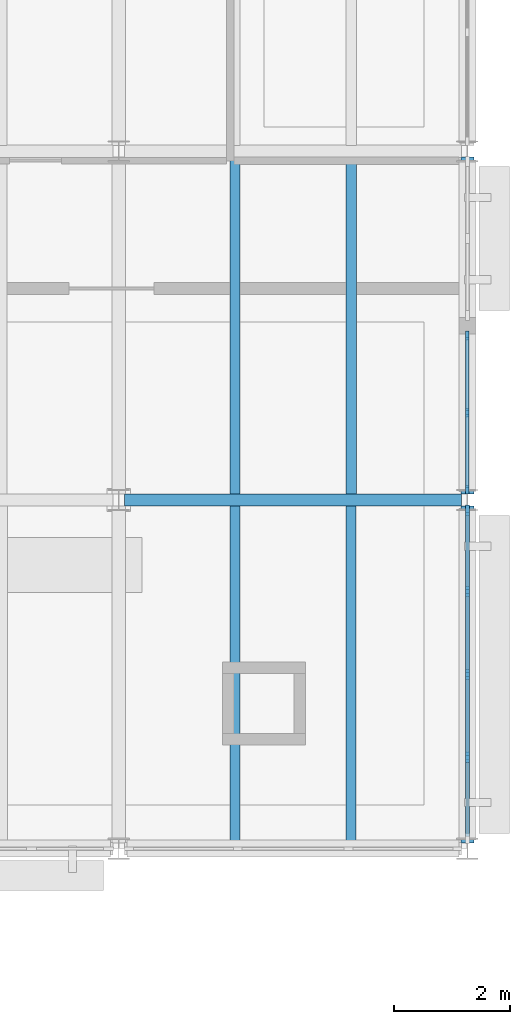
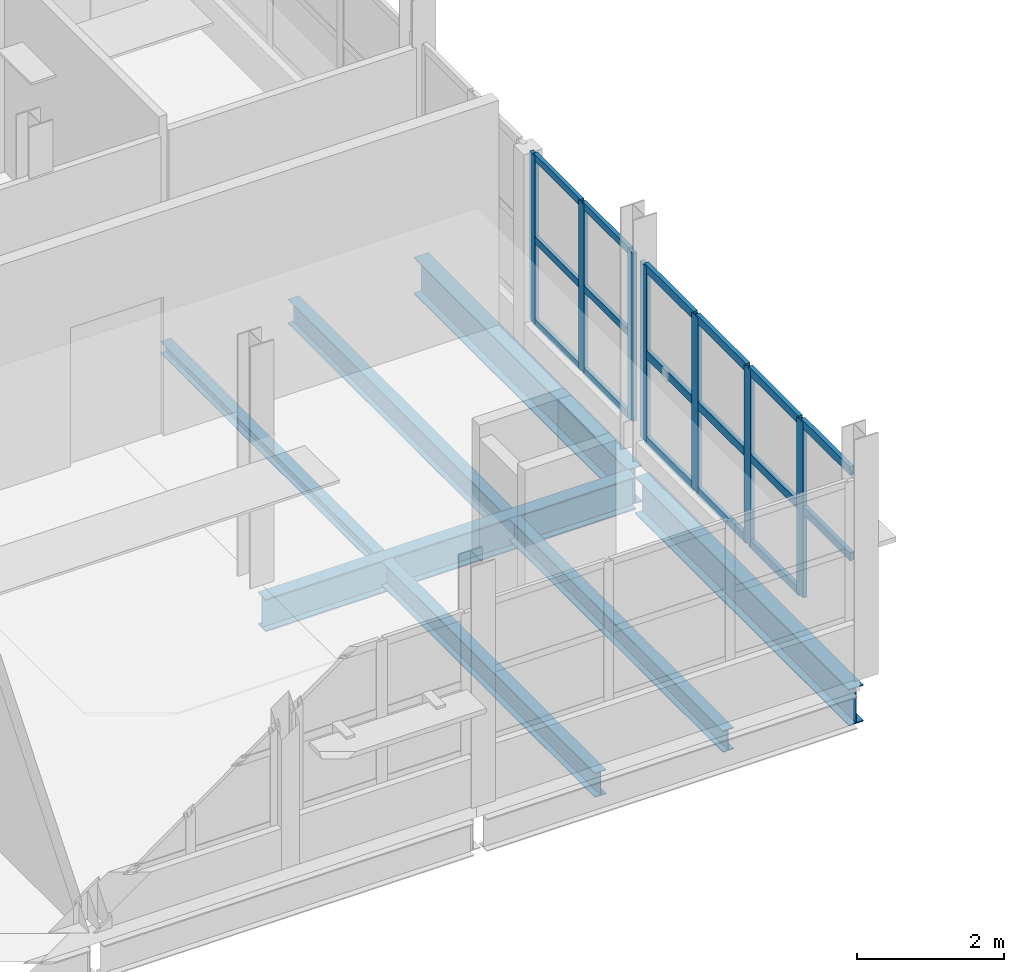
# One storey, part 41 of 92: 24 members, 7 beams, 2 elements without a shape of their own.
"""IFC4 building model written with IfcOpenShell, lengths in metres."""

from ifc_helpers import new_model, si_unit, direction, frame, origin, origin_2d, place, context, subcontext, project, spatial, rectangle, i_section, extrude, material, material_profile, profile_set, type_object, element, aggregate, save


model = new_model("IFC4")

# Units and contexts
model_context = context("Model", 3, precision=1e-05, world=origin(), true_north=direction((0.0, 1.0)))
body_context = subcontext(model_context, "Body", "Model", "MODEL_VIEW")
ifc_project = project(units=[si_unit("LENGTHUNIT", "METRE"), si_unit("AREAUNIT", "SQUARE_METRE"), si_unit("VOLUMEUNIT", "CUBIC_METRE"), si_unit("PLANEANGLEUNIT", "RADIAN"), si_unit("MASSUNIT", "GRAM", prefix="KILO")], contexts=[model_context])

# Site, building, storey
site_placement = place(None, origin())
site = spatial("IfcSite", under=ifc_project, at=site_placement, CompositionType="ELEMENT")
building_placement = place(site_placement, origin())
building = spatial("IfcBuilding", under=site, at=building_placement, Name="Siltcreek Boulevard Central Fire Station", CompositionType="ELEMENT")
storey_placement = place(building_placement, frame((0.0, 0.0, 6.0)))
storey = spatial("IfcBuildingStorey", under=building, at=storey_placement, Name="L02", CompositionType="ELEMENT", Elevation=6.0)

# Beams
ifc_material_1 = material(Name="Structural steel ASTM A992 Gr50", Category="steel")
ifc_material_profile_1 = material_profile(ifc_material_1, i_section(OverallWidth=0.2109375, OverallDepth=0.5390625, WebThickness=0.01171875, FlangeThickness=0.018798828125, at=origin_2d()), Name="W530X109")
ifc_profile_set_1 = profile_set([ifc_material_profile_1], Name="Structural steel ASTM A992 Gr50")
beam_type_1 = type_object("IfcBeamType", Name="BM_W530X109", PredefinedType="BEAM", material=ifc_profile_set_1)
beam_1_placement = place(storey_placement, frame((160.300048828125, 94.199951171875, -0.589599609375), z_axis=(1.0, 0.0, 0.0), x_axis=(0.0, 1.0, 0.0)))
element("IfcBeam", 1, at=beam_1_placement, inside=storey, type_object=beam_type_1, Name="L02 primary steel girder GX-0182", PredefinedType="BEAM", context=body_context, shape_type="SweptSolid", body=[
    extrude(i_section(OverallWidth=0.2109375, OverallDepth=0.5390625, WebThickness=0.01171875, FlangeThickness=0.018798828125, at=origin_2d()), origin(), (0.0, 0.0, 1.0), 5.800048828125),
])
ifc_material_profile_2 = material_profile(ifc_material_1, i_section(OverallWidth=0.22802734375, OverallDepth=0.60791015625, WebThickness=0.01123046875, FlangeThickness=0.017333984375, at=origin_2d()), Name="W610X113")
ifc_profile_set_2 = profile_set([ifc_material_profile_2], Name="Structural steel ASTM A992 Gr50")
beam_type_2 = type_object("IfcBeamType", Name="BM_W610X113", PredefinedType="BEAM", material=ifc_profile_set_2)
for number, where, z_axis, x_axis, name in (
    (2, (166.199951171875, 88.300048828125, -0.6240234375), (0.0, 1.0, 0.0), (-1.0, 0.0, 0.0), "L02 primary steel girder GY-0230"),
    (3, (166.199951171875, 94.300048828125, -0.6240234375), (0.0, 1.0, 0.0), (-1.0, 0.0, 0.0), "L02 primary steel girder GY-0231"),
):
    element("IfcBeam", number, at=place(storey_placement, frame(where, z_axis=z_axis, x_axis=x_axis)), inside=storey, type_object=beam_type_2, Name=name, PredefinedType="BEAM", context=body_context, shape_type="SweptSolid", body=[
        extrude(i_section(OverallWidth=0.22802734375, OverallDepth=0.60791015625, WebThickness=0.01123046875, FlangeThickness=0.017333984375, at=origin_2d()), origin(), (0.0, 0.0, 1.0), 5.800048828125),
    ])

# Curtain wall, members
ifc_material_2 = material(Name="Anodized aluminum and low-E insulated glazing", Category="aluminium")
curtain_wall_type_1 = type_object("IfcCurtainWallType", Name="CW_SYS_26", PredefinedType="USERDEFINED", material=ifc_material_2)
curtain_wall_1_placement = place(storey_placement, origin())
curtain_wall_1 = element("IfcCurtainWall", 4, at=curtain_wall_1_placement, inside=storey, type_object=curtain_wall_type_1, Name="L02 V5 unitised curtain wall CW-145", ObjectType="CURTAIN WALL", PredefinedType="USERDEFINED")
ifc_material_3 = material(Name="Anodized 6063-T6 aluminum framing", Category="aluminium")
ifc_material_profile_3 = material_profile(ifc_material_3, rectangle(XDim=0.06005859375, YDim=0.14990234375, at=origin_2d()), Name="MULL60X150")
ifc_profile_set_3 = profile_set([ifc_material_profile_3], Name="Anodized 6063-T6 aluminum framing")
member_type_1 = type_object("IfcMemberType", Name="CWM_60X150", PredefinedType="MULLION", material=ifc_profile_set_3)
member_1_placement = place(storey_placement, frame((166.199951171875, 94.375, 0.43994140625), z_axis=(0.0, 0.0, 1.0), x_axis=(-1.0, 0.0, 0.0)))
member_1 = element("IfcMember", 5, at=member_1_placement, type_object=member_type_1, Name="CW-145 mullion 1", PredefinedType="MULLION", context=body_context, shape_type="SweptSolid", body=[
    extrude(rectangle(XDim=0.06005859375, YDim=0.14990234375, at=origin_2d()), origin(), (0.0, 0.0, 1.0), 2.787109375),
])
member_2_placement = place(storey_placement, frame((166.199951171875, 95.702392578125, 0.43994140625), z_axis=(0.0, 0.0, 1.0), x_axis=(-1.0, 0.0, 0.0)))
member_2 = element("IfcMember", 6, at=member_2_placement, type_object=member_type_1, Name="CW-145 mullion 2", PredefinedType="MULLION", context=body_context, shape_type="SweptSolid", body=[
    extrude(rectangle(XDim=0.06005859375, YDim=0.14990234375, at=origin_2d()), origin(), (0.0, 0.0, 1.0), 2.787109375),
])
member_3_placement = place(storey_placement, frame((166.199951171875, 97.030029296875, 0.43994140625), z_axis=(0.0, 0.0, 1.0), x_axis=(-1.0, 0.0, 0.0)))
member_3 = element("IfcMember", 7, at=member_3_placement, type_object=member_type_1, Name="CW-145 mullion 3", PredefinedType="MULLION", context=body_context, shape_type="SweptSolid", body=[
    extrude(rectangle(XDim=0.06005859375, YDim=0.14990234375, at=origin_2d()), origin(), (0.0, 0.0, 1.0), 2.787109375),
])

curtain_wall_type_2 = type_object("IfcCurtainWallType", Name="CW_SYS_25", PredefinedType="USERDEFINED", material=ifc_material_2)
curtain_wall_2_placement = place(storey_placement, origin())
curtain_wall_2 = element("IfcCurtainWall", 8, at=curtain_wall_2_placement, inside=storey, type_object=curtain_wall_type_2, Name="L02 V5 unitised curtain wall CW-144", ObjectType="CURTAIN WALL", PredefinedType="USERDEFINED")
ifc_material_profile_4 = material_profile(ifc_material_3, rectangle(XDim=0.06494140625, YDim=0.175048828125, at=origin_2d()), Name="MULL65X175")
ifc_profile_set_4 = profile_set([ifc_material_profile_4], Name="Anodized 6063-T6 aluminum framing")
member_type_2 = type_object("IfcMemberType", Name="CWM_65X175", PredefinedType="MULLION", material=ifc_profile_set_4)
member_4_placement = place(storey_placement, frame((166.199951171875, 89.7724609375, 0.320068359375), z_axis=(0.0, 0.0, 1.0), x_axis=(-1.0, 0.0, 0.0)))
member_4 = element("IfcMember", 9, at=member_4_placement, type_object=member_type_2, Name="CW-144 mullion 2", PredefinedType="MULLION", context=body_context, shape_type="SweptSolid", body=[
    extrude(rectangle(XDim=0.06494140625, YDim=0.175048828125, at=origin_2d()), origin(), (0.0, 0.0, 1.0), 2.906982421875),
])
member_5_placement = place(storey_placement, frame((166.199951171875, 91.199951171875, 0.320068359375), z_axis=(0.0, 0.0, 1.0), x_axis=(-1.0, 0.0, 0.0)))
member_5 = element("IfcMember", 10, at=member_5_placement, type_object=member_type_2, Name="CW-144 mullion 3", PredefinedType="MULLION", context=body_context, shape_type="SweptSolid", body=[
    extrude(rectangle(XDim=0.06494140625, YDim=0.175048828125, at=origin_2d()), origin(), (0.0, 0.0, 1.0), 2.906982421875),
])
member_6_placement = place(storey_placement, frame((166.199951171875, 92.62744140625, 0.320068359375), z_axis=(0.0, 0.0, 1.0), x_axis=(-1.0, 0.0, 0.0)))
member_6 = element("IfcMember", 11, at=member_6_placement, type_object=member_type_2, Name="CW-144 mullion 4", PredefinedType="MULLION", context=body_context, shape_type="SweptSolid", body=[
    extrude(rectangle(XDim=0.06494140625, YDim=0.175048828125, at=origin_2d()), origin(), (0.0, 0.0, 1.0), 2.906982421875),
])
member_7_placement = place(storey_placement, frame((166.199951171875, 94.0224609375, 0.320068359375), z_axis=(0.0, 0.0, 1.0), x_axis=(-1.0, 0.0, 0.0)))
member_7 = element("IfcMember", 12, at=member_7_placement, type_object=member_type_2, Name="CW-144 mullion 5", PredefinedType="MULLION", context=body_context, shape_type="SweptSolid", body=[
    extrude(rectangle(XDim=0.06494140625, YDim=0.175048828125, at=origin_2d()), origin(), (0.0, 0.0, 1.0), 2.906982421875),
])

# Member
ifc_material_profile_5 = material_profile(ifc_material_3, rectangle(XDim=0.06005859375, YDim=0.114990234375, at=origin_2d()), Name="TRAN60X115")
ifc_profile_set_5 = profile_set([ifc_material_profile_5], Name="Anodized 6063-T6 aluminum framing")
member_type_3 = type_object("IfcMemberType", Name="CWT_60X115", PredefinedType="USERDEFINED", material=ifc_profile_set_5)
member_8_placement = place(storey_placement, frame((166.199951171875, 94.405029296875, 0.469970703125), z_axis=(0.0, 1.0, 0.0), x_axis=(-1.0, 0.0, 0.0)))
member_8 = element("IfcMember", 13, at=member_8_placement, type_object=member_type_3, Name="CW-145 transom 1.1", ObjectType="TRANSOM", PredefinedType="USERDEFINED", context=body_context, shape_type="SweptSolid", body=[
    extrude(rectangle(XDim=0.06005859375, YDim=0.114990234375, at=origin_2d()), origin(), (0.0, 0.0, 1.0), 1.267578125),
])

member_9_placement = place(storey_placement, frame((166.199951171875, 94.405029296875, 1.83349609375), z_axis=(0.0, 1.0, 0.0), x_axis=(-1.0, 0.0, 0.0)))
member_9 = element("IfcMember", 14, at=member_9_placement, type_object=member_type_3, Name="CW-145 transom 1.2", ObjectType="TRANSOM", PredefinedType="USERDEFINED", context=body_context, shape_type="SweptSolid", body=[
    extrude(rectangle(XDim=0.06005859375, YDim=0.114990234375, at=origin_2d()), origin(), (0.0, 0.0, 1.0), 1.267578125),
])

member_10_placement = place(storey_placement, frame((166.199951171875, 94.405029296875, 3.197021484375), z_axis=(0.0, 1.0, 0.0), x_axis=(-1.0, 0.0, 0.0)))
member_10 = element("IfcMember", 15, at=member_10_placement, type_object=member_type_3, Name="CW-145 transom 1.3", ObjectType="TRANSOM", PredefinedType="USERDEFINED", context=body_context, shape_type="SweptSolid", body=[
    extrude(rectangle(XDim=0.06005859375, YDim=0.114990234375, at=origin_2d()), origin(), (0.0, 0.0, 1.0), 1.267578125),
])

member_11_placement = place(storey_placement, frame((166.199951171875, 95.732421875, 0.469970703125), z_axis=(0.0, 1.0, 0.0), x_axis=(-1.0, 0.0, 0.0)))
member_11 = element("IfcMember", 16, at=member_11_placement, type_object=member_type_3, Name="CW-145 transom 2.1", ObjectType="TRANSOM", PredefinedType="USERDEFINED", context=body_context, shape_type="SweptSolid", body=[
    extrude(rectangle(XDim=0.06005859375, YDim=0.114990234375, at=origin_2d()), origin(), (0.0, 0.0, 1.0), 1.267578125),
])

member_12_placement = place(storey_placement, frame((166.199951171875, 95.732421875, 1.83349609375), z_axis=(0.0, 1.0, 0.0), x_axis=(-1.0, 0.0, 0.0)))
member_12 = element("IfcMember", 17, at=member_12_placement, type_object=member_type_3, Name="CW-145 transom 2.2", ObjectType="TRANSOM", PredefinedType="USERDEFINED", context=body_context, shape_type="SweptSolid", body=[
    extrude(rectangle(XDim=0.06005859375, YDim=0.114990234375, at=origin_2d()), origin(), (0.0, 0.0, 1.0), 1.267578125),
])

member_13_placement = place(storey_placement, frame((166.199951171875, 95.732421875, 3.197021484375), z_axis=(0.0, 1.0, 0.0), x_axis=(-1.0, 0.0, 0.0)))
member_13 = element("IfcMember", 18, at=member_13_placement, type_object=member_type_3, Name="CW-145 transom 2.3", ObjectType="TRANSOM", PredefinedType="USERDEFINED", context=body_context, shape_type="SweptSolid", body=[
    extrude(rectangle(XDim=0.06005859375, YDim=0.114990234375, at=origin_2d()), origin(), (0.0, 0.0, 1.0), 1.267578125),
])

aggregate(curtain_wall_1, [member_1, member_2, member_3, member_8, member_9, member_10, member_11, member_12, member_13])

ifc_material_profile_6 = material_profile(ifc_material_3, rectangle(XDim=0.06494140625, YDim=0.135009765625, at=origin_2d()), Name="TRAN65X135")
ifc_profile_set_6 = profile_set([ifc_material_profile_6], Name="Anodized 6063-T6 aluminum framing")
member_type_4 = type_object("IfcMemberType", Name="CWT_65X135", PredefinedType="USERDEFINED", material=ifc_profile_set_6)
member_14_placement = place(storey_placement, frame((166.199951171875, 88.409912109375, 1.7734375), z_axis=(0.0, 1.0, 0.0), x_axis=(-1.0, 0.0, 0.0)))
member_14 = element("IfcMember", 19, at=member_14_placement, type_object=member_type_4, Name="CW-144 transom 1.2", ObjectType="TRANSOM", PredefinedType="USERDEFINED", context=body_context, shape_type="SweptSolid", body=[
    extrude(rectangle(XDim=0.06494140625, YDim=0.135009765625, at=origin_2d()), origin(), (0.0, 0.0, 1.0), 1.330078125),
])

member_15_placement = place(storey_placement, frame((166.199951171875, 88.409912109375, 3.194580078125), z_axis=(0.0, 1.0, 0.0), x_axis=(-1.0, 0.0, 0.0)))
member_15 = element("IfcMember", 20, at=member_15_placement, type_object=member_type_4, Name="CW-144 transom 1.3", ObjectType="TRANSOM", PredefinedType="USERDEFINED", context=body_context, shape_type="SweptSolid", body=[
    extrude(rectangle(XDim=0.06494140625, YDim=0.135009765625, at=origin_2d()), origin(), (0.0, 0.0, 1.0), 1.330078125),
])

member_16_placement = place(storey_placement, frame((166.199951171875, 89.804931640625, 0.3525390625), z_axis=(0.0, 1.0, 0.0), x_axis=(-1.0, 0.0, 0.0)))
member_16 = element("IfcMember", 21, at=member_16_placement, type_object=member_type_4, Name="CW-144 transom 2.1", ObjectType="TRANSOM", PredefinedType="USERDEFINED", context=body_context, shape_type="SweptSolid", body=[
    extrude(rectangle(XDim=0.06494140625, YDim=0.135009765625, at=origin_2d()), origin(), (0.0, 0.0, 1.0), 1.362548828125),
])

member_17_placement = place(storey_placement, frame((166.199951171875, 89.804931640625, 1.7734375), z_axis=(0.0, 1.0, 0.0), x_axis=(-1.0, 0.0, 0.0)))
member_17 = element("IfcMember", 22, at=member_17_placement, type_object=member_type_4, Name="CW-144 transom 2.2", ObjectType="TRANSOM", PredefinedType="USERDEFINED", context=body_context, shape_type="SweptSolid", body=[
    extrude(rectangle(XDim=0.06494140625, YDim=0.135009765625, at=origin_2d()), origin(), (0.0, 0.0, 1.0), 1.362548828125),
])

member_18_placement = place(storey_placement, frame((166.199951171875, 89.804931640625, 3.194580078125), z_axis=(0.0, 1.0, 0.0), x_axis=(-1.0, 0.0, 0.0)))
member_18 = element("IfcMember", 23, at=member_18_placement, type_object=member_type_4, Name="CW-144 transom 2.3", ObjectType="TRANSOM", PredefinedType="USERDEFINED", context=body_context, shape_type="SweptSolid", body=[
    extrude(rectangle(XDim=0.06494140625, YDim=0.135009765625, at=origin_2d()), origin(), (0.0, 0.0, 1.0), 1.362548828125),
])

member_19_placement = place(storey_placement, frame((166.199951171875, 91.232421875, 0.3525390625), z_axis=(0.0, 1.0, 0.0), x_axis=(-1.0, 0.0, 0.0)))
member_19 = element("IfcMember", 24, at=member_19_placement, type_object=member_type_4, Name="CW-144 transom 3.1", ObjectType="TRANSOM", PredefinedType="USERDEFINED", context=body_context, shape_type="SweptSolid", body=[
    extrude(rectangle(XDim=0.06494140625, YDim=0.135009765625, at=origin_2d()), origin(), (0.0, 0.0, 1.0), 1.362548828125),
])

member_20_placement = place(storey_placement, frame((166.199951171875, 91.232421875, 1.7734375), z_axis=(0.0, 1.0, 0.0), x_axis=(-1.0, 0.0, 0.0)))
member_20 = element("IfcMember", 25, at=member_20_placement, type_object=member_type_4, Name="CW-144 transom 3.2", ObjectType="TRANSOM", PredefinedType="USERDEFINED", context=body_context, shape_type="SweptSolid", body=[
    extrude(rectangle(XDim=0.06494140625, YDim=0.135009765625, at=origin_2d()), origin(), (0.0, 0.0, 1.0), 1.362548828125),
])

member_21_placement = place(storey_placement, frame((166.199951171875, 91.232421875, 3.194580078125), z_axis=(0.0, 1.0, 0.0), x_axis=(-1.0, 0.0, 0.0)))
member_21 = element("IfcMember", 26, at=member_21_placement, type_object=member_type_4, Name="CW-144 transom 3.3", ObjectType="TRANSOM", PredefinedType="USERDEFINED", context=body_context, shape_type="SweptSolid", body=[
    extrude(rectangle(XDim=0.06494140625, YDim=0.135009765625, at=origin_2d()), origin(), (0.0, 0.0, 1.0), 1.362548828125),
])

member_22_placement = place(storey_placement, frame((166.199951171875, 92.659912109375, 0.3525390625), z_axis=(0.0, 1.0, 0.0), x_axis=(-1.0, 0.0, 0.0)))
member_22 = element("IfcMember", 27, at=member_22_placement, type_object=member_type_4, Name="CW-144 transom 4.1", ObjectType="TRANSOM", PredefinedType="USERDEFINED", context=body_context, shape_type="SweptSolid", body=[
    extrude(rectangle(XDim=0.06494140625, YDim=0.135009765625, at=origin_2d()), origin(), (0.0, 0.0, 1.0), 1.330078125),
])

member_23_placement = place(storey_placement, frame((166.199951171875, 92.659912109375, 1.7734375), z_axis=(0.0, 1.0, 0.0), x_axis=(-1.0, 0.0, 0.0)))
member_23 = element("IfcMember", 28, at=member_23_placement, type_object=member_type_4, Name="CW-144 transom 4.2", ObjectType="TRANSOM", PredefinedType="USERDEFINED", context=body_context, shape_type="SweptSolid", body=[
    extrude(rectangle(XDim=0.06494140625, YDim=0.135009765625, at=origin_2d()), origin(), (0.0, 0.0, 1.0), 1.330078125),
])

member_24_placement = place(storey_placement, frame((166.199951171875, 92.659912109375, 3.194580078125), z_axis=(0.0, 1.0, 0.0), x_axis=(-1.0, 0.0, 0.0)))
member_24 = element("IfcMember", 29, at=member_24_placement, type_object=member_type_4, Name="CW-144 transom 4.3", ObjectType="TRANSOM", PredefinedType="USERDEFINED", context=body_context, shape_type="SweptSolid", body=[
    extrude(rectangle(XDim=0.06494140625, YDim=0.135009765625, at=origin_2d()), origin(), (0.0, 0.0, 1.0), 1.330078125),
])

aggregate(curtain_wall_2, [member_4, member_5, member_6, member_7, member_14, member_15, member_16, member_17, member_18, member_19, member_20, member_21, member_22, member_23, member_24])

# Beams
ifc_material_profile_7 = material_profile(ifc_material_1, i_section(OverallWidth=0.1650390625, OverallDepth=0.200927734375, WebThickness=0.006103515625, FlangeThickness=0.01025390625, at=origin_2d()), Name="W200X36")
ifc_profile_set_7 = profile_set([ifc_material_profile_7], Name="Structural steel ASTM A992 Gr50")
beam_type_3 = type_object("IfcBeamType", Name="JST_W200X36", PredefinedType="JOIST", material=ifc_profile_set_7)
beam_2_placement = place(storey_placement, frame((162.199951171875, 94.303466796875, -0.42041015625), z_axis=(0.0, 1.0, 0.0), x_axis=(-1.0, 0.0, 0.0)))
element("IfcBeam", 30, at=beam_2_placement, inside=storey, type_object=beam_type_3, Name="L02 secondary steel floor joist 0167", PredefinedType="JOIST", context=body_context, shape_type="SweptSolid", body=[
    extrude(i_section(OverallWidth=0.1650390625, OverallDepth=0.200927734375, WebThickness=0.006103515625, FlangeThickness=0.01025390625, at=origin_2d()), origin(), (0.0, 0.0, 1.0), 5.79296875),
])
ifc_material_profile_8 = material_profile(ifc_material_1, i_section(OverallWidth=0.172119140625, OverallDepth=0.35791015625, WebThickness=0.0078125, FlangeThickness=0.01318359375, at=origin_2d()), Name="W360X57")
ifc_profile_set_8 = profile_set([ifc_material_profile_8], Name="Structural steel ASTM A992 Gr50")
beam_type_4 = type_object("IfcBeamType", Name="JST_W360X57", PredefinedType="JOIST", material=ifc_profile_set_8)
beam_3_placement = place(storey_placement, frame((164.199951171875, 88.303466796875, -0.4990234375), z_axis=(0.0, 1.0, 0.0), x_axis=(-1.0, 0.0, 0.0)))
element("IfcBeam", 31, at=beam_3_placement, inside=storey, type_object=beam_type_4, Name="L02 secondary steel floor joist 0154", PredefinedType="JOIST", context=body_context, shape_type="SweptSolid", body=[
    extrude(i_section(OverallWidth=0.172119140625, OverallDepth=0.35791015625, WebThickness=0.0078125, FlangeThickness=0.01318359375, at=origin_2d()), origin(), (0.0, 0.0, 1.0), 5.79296875),
])
ifc_material_profile_9 = material_profile(ifc_material_1, i_section(OverallWidth=0.177001953125, OverallDepth=0.403076171875, WebThickness=0.007568359375, FlangeThickness=0.010986328125, at=origin_2d()), Name="W410X53")
ifc_profile_set_9 = profile_set([ifc_material_profile_9], Name="Structural steel ASTM A992 Gr50")
beam_type_5 = type_object("IfcBeamType", Name="JST_W410X53", PredefinedType="JOIST", material=ifc_profile_set_9)
for number, where, z_axis, x_axis, name in (
    (32, (162.199951171875, 88.303466796875, -0.521484375), (0.0, 1.0, 0.0), (-1.0, 0.0, 0.0), "L02 secondary steel floor joist 0153"),
    (33, (164.199951171875, 94.303466796875, -0.521484375), (0.0, 1.0, 0.0), (-1.0, 0.0, 0.0), "L02 secondary steel floor joist 0168"),
):
    element("IfcBeam", number, at=place(storey_placement, frame(where, z_axis=z_axis, x_axis=x_axis)), inside=storey, type_object=beam_type_5, Name=name, PredefinedType="JOIST", context=body_context, shape_type="SweptSolid", body=[
        extrude(i_section(OverallWidth=0.177001953125, OverallDepth=0.403076171875, WebThickness=0.007568359375, FlangeThickness=0.010986328125, at=origin_2d()), origin(), (0.0, 0.0, 1.0), 5.79296875),
    ])

save(model, "model.ifc")
